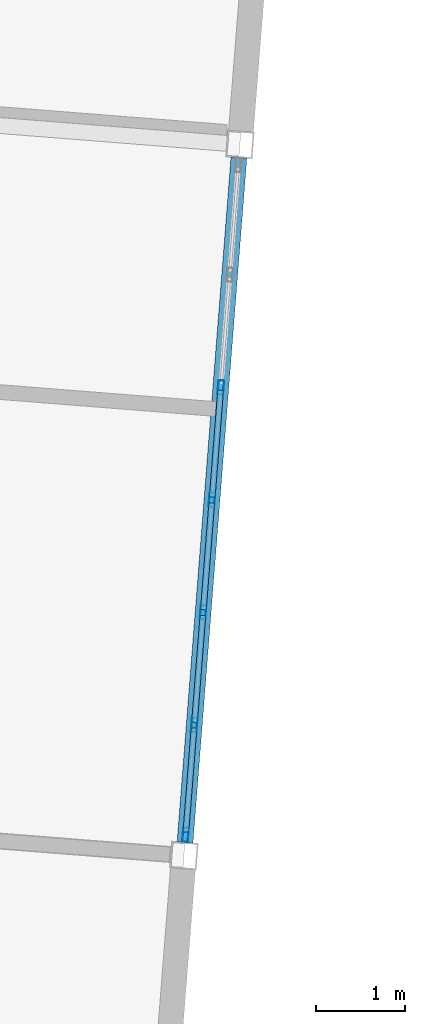
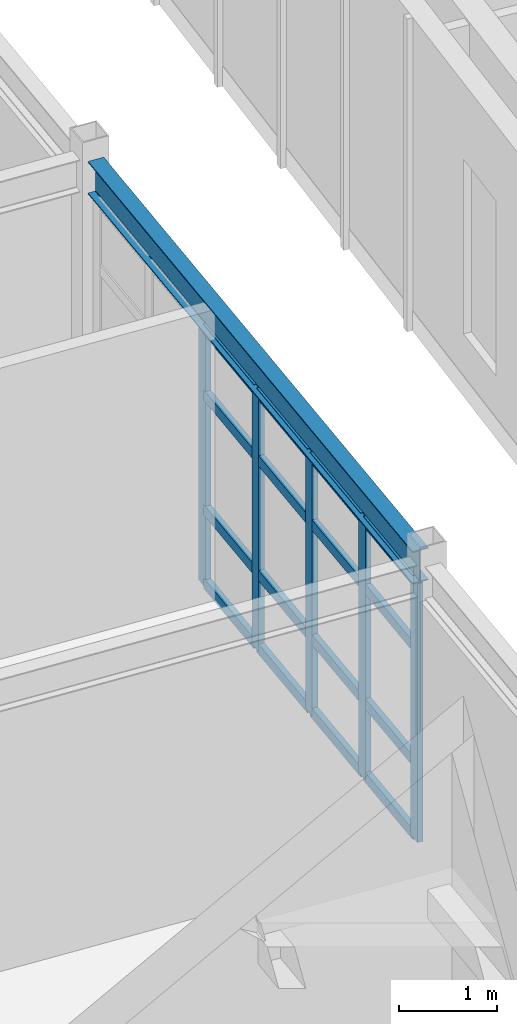
# One storey, part 47 of 150: 21 members, 1 beam, 1 element without a shape of its own.
"""IFC4 building model written with IfcOpenShell, lengths in metres."""

from ifc_helpers import new_model, si_unit, direction, frame, origin, origin_2d, place, context, subcontext, project, spatial, hollow_rectangle, i_section, extrude, material, material_profile, profile_set, type_object, element, aggregate, save


model = new_model("IFC4")

# Units and contexts
model_context = context("Model", 3, precision=1e-05, world=origin(), true_north=direction((0.0, 1.0)))
body_context = subcontext(model_context, "Body", "Model", "MODEL_VIEW")
ifc_project = project(units=[si_unit("LENGTHUNIT", "METRE"), si_unit("AREAUNIT", "SQUARE_METRE"), si_unit("VOLUMEUNIT", "CUBIC_METRE"), si_unit("PLANEANGLEUNIT", "RADIAN"), si_unit("MASSUNIT", "GRAM", prefix="KILO")], contexts=[model_context])

# Site, building, storey
site_placement = place(None, origin())
site = spatial("IfcSite", under=ifc_project, at=site_placement, CompositionType="ELEMENT")
building_placement = place(site_placement, origin())
building = spatial("IfcBuilding", under=site, at=building_placement, Name="Kestramere Prow Commons", CompositionType="ELEMENT")
storey_placement = place(building_placement, frame((0.0, 0.0, 4.5)))
storey = spatial("IfcBuildingStorey", under=building, at=storey_placement, Name="L01", CompositionType="ELEMENT", Elevation=4.5)

# Beam
ifc_material_1 = material(Name="Steel S355JR", Category="steel")
ifc_material_profile_1 = material_profile(ifc_material_1, i_section(OverallWidth=0.177978515625, OverallDepth=0.406494140625, WebThickness=0.0078125, FlangeThickness=0.0126953125, FilletRadius=0.01025390625, at=origin_2d()), Name="UB 406x178x60")
ifc_profile_set_1 = profile_set([ifc_material_profile_1], Name="Steel S355JR")
beam_type = type_object("IfcBeamType", Name="BM-NR-01 UB 406x178x60 (EX)", PredefinedType="BEAM", material=ifc_profile_set_1)
beam_placement = place(storey_placement, frame((105.12841796875, 90.80029296875, 3.44677734375), z_axis=(0.078473620365, 0.996916190513, 0.0), x_axis=(-0.996916190513, 0.078473620365, 0.0)))
element("IfcBeam", 1, at=beam_placement, inside=storey, type_object=beam_type, Name="Nursery L01 Beam V 5-2", PredefinedType="BEAM", context=body_context, shape_type="SweptSolid", body=[
    extrude(i_section(OverallWidth=0.177978515625, OverallDepth=0.406494140625, WebThickness=0.0078125, FlangeThickness=0.0126953125, FilletRadius=0.01025390625, at=origin_2d()), origin(), (0.0, 0.0, 1.0), 7.699951171875),
])

# Curtain wall, members
ifc_material_2 = material(Name="Anodised Aluminium and Low-E Glass", Category="aluminium")
curtain_wall_type = type_object("IfcCurtainWallType", Name="CW-16 Glazed Curtain Wall 7600x3230", PredefinedType="USERDEFINED", material=ifc_material_2)
curtain_wall_placement = place(storey_placement, origin())
curtain_wall = element("IfcCurtainWall", 2, at=curtain_wall_placement, inside=storey, type_object=curtain_wall_type, Name="Nursery L01 E End Glazing", ObjectType="GLAZED CURTAIN WALL", PredefinedType="USERDEFINED")
ifc_material_3 = material(Name="Anodised Aluminium 6063-T6", Category="aluminium")
ifc_material_profile_2 = material_profile(ifc_material_3, hollow_rectangle(XDim=0.06494140625, YDim=0.159912109375, WallThickness=0.00390625, at=origin_2d()), Name="ALU-MUL 65x160")
ifc_profile_set_2 = profile_set([ifc_material_profile_2], Name="Anodised Aluminium 6063-T6")
member_type_1 = type_object("IfcMemberType", Name="CW-MUL-65x160", PredefinedType="MULLION", material=ifc_profile_set_2)
member_1_placement = place(storey_placement, frame((105.530029296875, 95.901123046875, 0.0), z_axis=(0.0, 0.0, 1.0), x_axis=(0.996917334449, -0.078459086628, 0.0)))
member_1 = element("IfcMember", 3, at=member_1_placement, type_object=member_type_1, Name="CW-16 mullion 3", PredefinedType="MULLION", context=body_context, shape_type="SweptSolid", body=[
    extrude(hollow_rectangle(XDim=0.06494140625, YDim=0.159912109375, WallThickness=0.00390625, at=origin_2d()), origin(), (0.0, 0.0, 1.0), 3.22998046875),
])
member_2_placement = place(storey_placement, frame((105.430419921875, 94.638427734375, 0.0), z_axis=(0.0, 0.0, 1.0), x_axis=(0.996917334449, -0.078459086628, 0.0)))
member_2 = element("IfcMember", 4, at=member_2_placement, type_object=member_type_1, Name="CW-16 mullion 4", PredefinedType="MULLION", context=body_context, shape_type="SweptSolid", body=[
    extrude(hollow_rectangle(XDim=0.06494140625, YDim=0.159912109375, WallThickness=0.00390625, at=origin_2d()), origin(), (0.0, 0.0, 1.0), 3.22998046875),
])
member_3_placement = place(storey_placement, frame((105.3310546875, 93.375732421875, 0.0), z_axis=(0.0, 0.0, 1.0), x_axis=(0.996917334449, -0.078459086628, 0.0)))
member_3 = element("IfcMember", 5, at=member_3_placement, type_object=member_type_1, Name="CW-16 mullion 5", PredefinedType="MULLION", context=body_context, shape_type="SweptSolid", body=[
    extrude(hollow_rectangle(XDim=0.06494140625, YDim=0.159912109375, WallThickness=0.00390625, at=origin_2d()), origin(), (0.0, 0.0, 1.0), 3.22998046875),
])
member_4_placement = place(storey_placement, frame((105.231689453125, 92.113037109375, 0.0), z_axis=(0.0, 0.0, 1.0), x_axis=(0.996917334449, -0.078459086628, 0.0)))
member_4 = element("IfcMember", 6, at=member_4_placement, type_object=member_type_1, Name="CW-16 mullion 6", PredefinedType="MULLION", context=body_context, shape_type="SweptSolid", body=[
    extrude(hollow_rectangle(XDim=0.06494140625, YDim=0.159912109375, WallThickness=0.00390625, at=origin_2d()), origin(), (0.0, 0.0, 1.0), 3.22998046875),
])
member_5_placement = place(storey_placement, frame((105.135009765625, 90.882568359375, 0.0), z_axis=(0.0, 0.0, 1.0), x_axis=(0.996917334449, -0.078459086628, 0.0)))
member_5 = element("IfcMember", 7, at=member_5_placement, type_object=member_type_1, Name="CW-16 mullion 7", PredefinedType="MULLION", context=body_context, shape_type="SweptSolid", body=[
    extrude(hollow_rectangle(XDim=0.06494140625, YDim=0.159912109375, WallThickness=0.00390625, at=origin_2d()), origin(), (0.0, 0.0, 1.0), 3.22998046875),
])
ifc_material_profile_3 = material_profile(ifc_material_3, hollow_rectangle(XDim=0.06494140625, YDim=0.1298828125, WallThickness=0.00390625, at=origin_2d()), Name="ALU-TRN 65x130")
ifc_profile_set_3 = profile_set([ifc_material_profile_3], Name="Anodised Aluminium 6063-T6")
member_type_2 = type_object("IfcMemberType", Name="CW-TRN-65x130", PredefinedType="USERDEFINED", material=ifc_profile_set_3)
member_6_placement = place(storey_placement, frame((105.52734375, 95.868896484375, 0.032470703125), z_axis=(-0.078420878648, -0.996920340745, 0.0), x_axis=(0.996920340745, -0.078420878648, 0.0)))
member_6 = element("IfcMember", 8, at=member_6_placement, type_object=member_type_2, Name="CW-16 transom 3.1", ObjectType="TRANSOM", PredefinedType="USERDEFINED", context=body_context, shape_type="SweptSolid", body=[
    extrude(hollow_rectangle(XDim=0.06494140625, YDim=0.1298828125, WallThickness=0.00390625, at=origin_2d()), origin(), (0.0, 0.0, 1.0), 1.20166015625),
])
member_7_placement = place(storey_placement, frame((105.52734375, 95.868896484375, 0.949951171875), z_axis=(-0.078420878648, -0.996920340745, 0.0), x_axis=(0.996920340745, -0.078420878648, 0.0)))
member_7 = element("IfcMember", 9, at=member_7_placement, type_object=member_type_2, Name="CW-16 transom 3.2", ObjectType="TRANSOM", PredefinedType="USERDEFINED", context=body_context, shape_type="SweptSolid", body=[
    extrude(hollow_rectangle(XDim=0.06494140625, YDim=0.1298828125, WallThickness=0.00390625, at=origin_2d()), origin(), (0.0, 0.0, 1.0), 1.20166015625),
])
member_8_placement = place(storey_placement, frame((105.52734375, 95.868896484375, 2.3798828125), z_axis=(-0.078420878648, -0.996920340745, 0.0), x_axis=(0.996920340745, -0.078420878648, 0.0)))
member_8 = element("IfcMember", 10, at=member_8_placement, type_object=member_type_2, Name="CW-16 transom 3.3", ObjectType="TRANSOM", PredefinedType="USERDEFINED", context=body_context, shape_type="SweptSolid", body=[
    extrude(hollow_rectangle(XDim=0.06494140625, YDim=0.1298828125, WallThickness=0.00390625, at=origin_2d()), origin(), (0.0, 0.0, 1.0), 1.20166015625),
])
member_9_placement = place(storey_placement, frame((105.52734375, 95.868896484375, 3.197509765625), z_axis=(-0.078420878648, -0.996920340745, 0.0), x_axis=(0.996920340745, -0.078420878648, 0.0)))
member_9 = element("IfcMember", 11, at=member_9_placement, type_object=member_type_2, Name="CW-16 transom 3.4", ObjectType="TRANSOM", PredefinedType="USERDEFINED", context=body_context, shape_type="SweptSolid", body=[
    extrude(hollow_rectangle(XDim=0.06494140625, YDim=0.1298828125, WallThickness=0.00390625, at=origin_2d()), origin(), (0.0, 0.0, 1.0), 1.20166015625),
])
member_10_placement = place(storey_placement, frame((105.427978515625, 94.606201171875, 0.032470703125), z_axis=(-0.078420878648, -0.996920340745, 0.0), x_axis=(0.996920340745, -0.078420878648, 0.0)))
member_10 = element("IfcMember", 12, at=member_10_placement, type_object=member_type_2, Name="CW-16 transom 4.1", ObjectType="TRANSOM", PredefinedType="USERDEFINED", context=body_context, shape_type="SweptSolid", body=[
    extrude(hollow_rectangle(XDim=0.06494140625, YDim=0.1298828125, WallThickness=0.00390625, at=origin_2d()), origin(), (0.0, 0.0, 1.0), 1.20166015625),
])
member_11_placement = place(storey_placement, frame((105.427978515625, 94.606201171875, 0.949951171875), z_axis=(-0.078420878648, -0.996920340745, 0.0), x_axis=(0.996920340745, -0.078420878648, 0.0)))
member_11 = element("IfcMember", 13, at=member_11_placement, type_object=member_type_2, Name="CW-16 transom 4.2", ObjectType="TRANSOM", PredefinedType="USERDEFINED", context=body_context, shape_type="SweptSolid", body=[
    extrude(hollow_rectangle(XDim=0.06494140625, YDim=0.1298828125, WallThickness=0.00390625, at=origin_2d()), origin(), (0.0, 0.0, 1.0), 1.20166015625),
])
member_12_placement = place(storey_placement, frame((105.427978515625, 94.606201171875, 2.3798828125), z_axis=(-0.078420878648, -0.996920340745, 0.0), x_axis=(0.996920340745, -0.078420878648, 0.0)))
member_12 = element("IfcMember", 14, at=member_12_placement, type_object=member_type_2, Name="CW-16 transom 4.3", ObjectType="TRANSOM", PredefinedType="USERDEFINED", context=body_context, shape_type="SweptSolid", body=[
    extrude(hollow_rectangle(XDim=0.06494140625, YDim=0.1298828125, WallThickness=0.00390625, at=origin_2d()), origin(), (0.0, 0.0, 1.0), 1.20166015625),
])
member_13_placement = place(storey_placement, frame((105.427978515625, 94.606201171875, 3.197509765625), z_axis=(-0.078420878648, -0.996920340745, 0.0), x_axis=(0.996920340745, -0.078420878648, 0.0)))
member_13 = element("IfcMember", 15, at=member_13_placement, type_object=member_type_2, Name="CW-16 transom 4.4", ObjectType="TRANSOM", PredefinedType="USERDEFINED", context=body_context, shape_type="SweptSolid", body=[
    extrude(hollow_rectangle(XDim=0.06494140625, YDim=0.1298828125, WallThickness=0.00390625, at=origin_2d()), origin(), (0.0, 0.0, 1.0), 1.20166015625),
])
member_14_placement = place(storey_placement, frame((105.32861328125, 93.34326171875, 0.032470703125), z_axis=(-0.078420878648, -0.996920340745, 0.0), x_axis=(0.996920340745, -0.078420878648, 0.0)))
member_14 = element("IfcMember", 16, at=member_14_placement, type_object=member_type_2, Name="CW-16 transom 5.1", ObjectType="TRANSOM", PredefinedType="USERDEFINED", context=body_context, shape_type="SweptSolid", body=[
    extrude(hollow_rectangle(XDim=0.06494140625, YDim=0.1298828125, WallThickness=0.00390625, at=origin_2d()), origin(), (0.0, 0.0, 1.0), 1.20166015625),
])
member_15_placement = place(storey_placement, frame((105.32861328125, 93.34326171875, 0.949951171875), z_axis=(-0.078420878648, -0.996920340745, 0.0), x_axis=(0.996920340745, -0.078420878648, 0.0)))
member_15 = element("IfcMember", 17, at=member_15_placement, type_object=member_type_2, Name="CW-16 transom 5.2", ObjectType="TRANSOM", PredefinedType="USERDEFINED", context=body_context, shape_type="SweptSolid", body=[
    extrude(hollow_rectangle(XDim=0.06494140625, YDim=0.1298828125, WallThickness=0.00390625, at=origin_2d()), origin(), (0.0, 0.0, 1.0), 1.20166015625),
])
member_16_placement = place(storey_placement, frame((105.32861328125, 93.34326171875, 2.3798828125), z_axis=(-0.078420878648, -0.996920340745, 0.0), x_axis=(0.996920340745, -0.078420878648, 0.0)))
member_16 = element("IfcMember", 18, at=member_16_placement, type_object=member_type_2, Name="CW-16 transom 5.3", ObjectType="TRANSOM", PredefinedType="USERDEFINED", context=body_context, shape_type="SweptSolid", body=[
    extrude(hollow_rectangle(XDim=0.06494140625, YDim=0.1298828125, WallThickness=0.00390625, at=origin_2d()), origin(), (0.0, 0.0, 1.0), 1.20166015625),
])
member_17_placement = place(storey_placement, frame((105.32861328125, 93.34326171875, 3.197509765625), z_axis=(-0.078420878648, -0.996920340745, 0.0), x_axis=(0.996920340745, -0.078420878648, 0.0)))
member_17 = element("IfcMember", 19, at=member_17_placement, type_object=member_type_2, Name="CW-16 transom 5.4", ObjectType="TRANSOM", PredefinedType="USERDEFINED", context=body_context, shape_type="SweptSolid", body=[
    extrude(hollow_rectangle(XDim=0.06494140625, YDim=0.1298828125, WallThickness=0.00390625, at=origin_2d()), origin(), (0.0, 0.0, 1.0), 1.20166015625),
])
member_18_placement = place(storey_placement, frame((105.229248046875, 92.08056640625, 0.032470703125), z_axis=(-0.078516801265, -0.996912790528, 0.0), x_axis=(0.996912790528, -0.078516801265, 0.0)))
member_18 = element("IfcMember", 20, at=member_18_placement, type_object=member_type_2, Name="CW-16 transom 6.1", ObjectType="TRANSOM", PredefinedType="USERDEFINED", context=body_context, shape_type="SweptSolid", body=[
    extrude(hollow_rectangle(XDim=0.06494140625, YDim=0.1298828125, WallThickness=0.00390625, at=origin_2d()), origin(), (0.0, 0.0, 1.0), 1.169189453125),
])
member_19_placement = place(storey_placement, frame((105.229248046875, 92.08056640625, 0.949951171875), z_axis=(-0.078516801265, -0.996912790528, 0.0), x_axis=(0.996912790528, -0.078516801265, 0.0)))
member_19 = element("IfcMember", 21, at=member_19_placement, type_object=member_type_2, Name="CW-16 transom 6.2", ObjectType="TRANSOM", PredefinedType="USERDEFINED", context=body_context, shape_type="SweptSolid", body=[
    extrude(hollow_rectangle(XDim=0.06494140625, YDim=0.1298828125, WallThickness=0.00390625, at=origin_2d()), origin(), (0.0, 0.0, 1.0), 1.169189453125),
])
member_20_placement = place(storey_placement, frame((105.229248046875, 92.08056640625, 2.3798828125), z_axis=(-0.078516801265, -0.996912790528, 0.0), x_axis=(0.996912790528, -0.078516801265, 0.0)))
member_20 = element("IfcMember", 22, at=member_20_placement, type_object=member_type_2, Name="CW-16 transom 6.3", ObjectType="TRANSOM", PredefinedType="USERDEFINED", context=body_context, shape_type="SweptSolid", body=[
    extrude(hollow_rectangle(XDim=0.06494140625, YDim=0.1298828125, WallThickness=0.00390625, at=origin_2d()), origin(), (0.0, 0.0, 1.0), 1.169189453125),
])
member_21_placement = place(storey_placement, frame((105.229248046875, 92.08056640625, 3.197509765625), z_axis=(-0.078516801265, -0.996912790528, 0.0), x_axis=(0.996912790528, -0.078516801265, 0.0)))
member_21 = element("IfcMember", 23, at=member_21_placement, type_object=member_type_2, Name="CW-16 transom 6.4", ObjectType="TRANSOM", PredefinedType="USERDEFINED", context=body_context, shape_type="SweptSolid", body=[
    extrude(hollow_rectangle(XDim=0.06494140625, YDim=0.1298828125, WallThickness=0.00390625, at=origin_2d()), origin(), (0.0, 0.0, 1.0), 1.169189453125),
])
aggregate(curtain_wall, [member_1, member_2, member_3, member_4, member_5, member_6, member_7, member_8, member_9, member_10, member_11, member_12, member_13, member_14, member_15, member_16, member_17, member_18, member_19, member_20, member_21])

save(model, "model.ifc")
